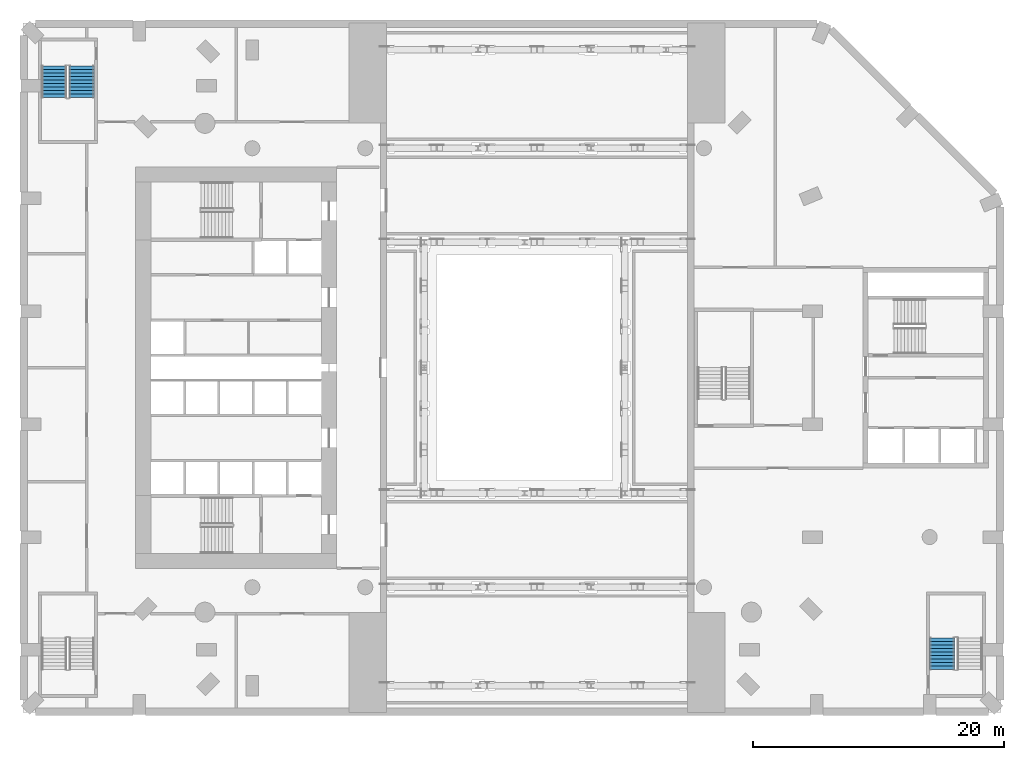
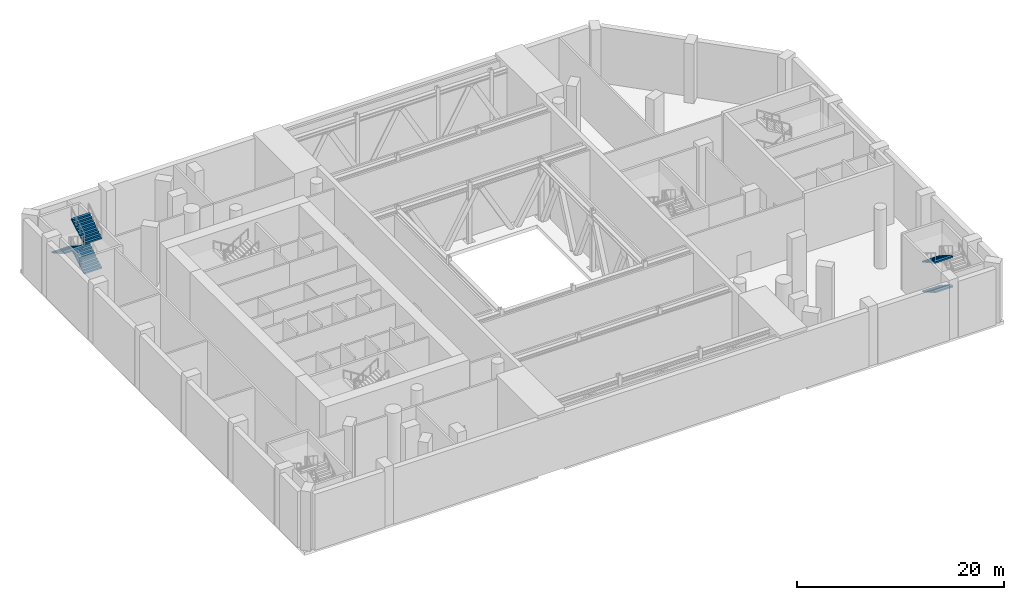
# One storey, part 15 of 21: 5 stair flights, 2 elements without a shape of their own.
"""IFC4 building model written with IfcOpenShell, lengths in metres."""

from ifc_helpers import new_model, si_unit, direction, frame, origin, place, context, subcontext, project, spatial, triangles, material, type_object, element, aggregate, save


model = new_model("IFC4")

# Units and contexts
model_context = context("Model", 3, precision=1e-05, world=origin(), true_north=direction((0.0, 1.0)))
body_context = subcontext(model_context, "Body", "Model", "MODEL_VIEW")
ifc_project = project(units=[si_unit("LENGTHUNIT", "METRE"), si_unit("AREAUNIT", "SQUARE_METRE"), si_unit("VOLUMEUNIT", "CUBIC_METRE"), si_unit("PLANEANGLEUNIT", "RADIAN"), si_unit("MASSUNIT", "GRAM", prefix="KILO")], contexts=[model_context])

# Site, building, storey
site_placement = place(None, origin())
site = spatial("IfcSite", under=ifc_project, at=site_placement, CompositionType="ELEMENT")
building_placement = place(site_placement, origin())
building = spatial("IfcBuilding", under=site, at=building_placement, Name="Cypress Arch Tower", CompositionType="ELEMENT")
storey_placement = place(building_placement, frame((0.0, 0.0, 29.0)))
storey = spatial("IfcBuildingStorey", under=building, at=storey_placement, Name="L03", CompositionType="ELEMENT", Elevation=29.0)

# Stair, stair flights
ifc_material_1 = material(Name="Concrete C40/50", Category="concrete")
stair_type = type_object("IfcStairType", Name="Exit stair ES1750-200", PredefinedType="HALF_TURN_STAIR", material=ifc_material_1)
stair_1_placement = place(storey_placement, origin())
stair_1 = element("IfcStair", 1, at=stair_1_placement, inside=storey, type_object=stair_type, Name="L03 Exit stair P2", PredefinedType="HALF_TURN_STAIR")
ifc_material_2 = material(Name="Concrete C40/50", Category="concrete")
stair_flight_type = type_object("IfcStairFlightType", Name="Exit stair flight ES1750-200", PredefinedType="STRAIGHT", material=ifc_material_2)
stair_flight_1_placement = place(storey_placement, frame((-34.300048828125, 21.530029296875, 1.75), z_axis=(0.0, 0.0, 1.0), x_axis=(0.0, 1.0, 0.0)))
stair_flight_1 = element("IfcStairFlight", 2, at=stair_flight_1_placement, type_object=stair_flight_type, Name="P2 flight 2", NumberOfRisers=10, NumberOfTreads=9, PredefinedType="STRAIGHT", RiserHeight=0.175, TreadLength=0.28, context=body_context, shape_type="Tessellation", body=[
    triangles([(0.0, -1.0, 0.0), (0.000244140625, -1.0, 0.034912109375), (0.00048828125, -1.0, 0.070068359375), (0.00048828125, -1.0, 0.10498046875), (0.000244140625, -1.0, 0.14013671875), (0.0, -1.0, 0.175048828125), (0.280029296875, -1.0, 0.175048828125), (0.280029296875, -1.0, 0.35009765625), (0.56005859375, -1.0, 0.35009765625), (0.56005859375, -1.0, 0.52490234375), (0.840087890625, -1.0, 0.52490234375), (0.840087890625, -1.0, 0.699951171875), (1.1201171875, -1.0, 0.699951171875), (1.1201171875, -1.0, 0.875), (1.39990234375, -1.0, 0.875), (1.39990234375, -1.0, 1.050048828125), (1.679931640625, -1.0, 1.050048828125), (1.679931640625, -1.0, 1.22509765625), (1.9599609375, -1.0, 1.22509765625), (1.9599609375, -1.0, 1.39990234375), (2.239990234375, -1.0, 1.39990234375), (2.239990234375, -1.0, 1.574951171875), (2.52001953125, -1.0, 1.574951171875), (2.519775390625, -1.0, 1.53955078125), (2.51953125, -1.0, 1.504150390625), (2.51953125, -1.0, 1.468994140625), (2.519775390625, -1.0, 1.43359375), (2.52001953125, -1.0, 1.398193359375), (2.52001953125, 1.0, 1.398193359375), (2.519775390625, 1.0, 1.43359375), (2.51953125, 1.0, 1.468994140625), (2.51953125, 1.0, 1.504150390625), (2.519775390625, 1.0, 1.53955078125), (2.52001953125, 1.0, 1.574951171875), (2.239990234375, 1.0, 1.574951171875), (2.239990234375, 1.0, 1.39990234375), (1.9599609375, 1.0, 1.39990234375), (1.9599609375, 1.0, 1.22509765625), (1.679931640625, 1.0, 1.22509765625), (1.679931640625, 1.0, 1.050048828125), (1.39990234375, 1.0, 1.050048828125), (1.39990234375, 1.0, 0.875), (1.1201171875, 1.0, 0.875), (1.1201171875, 1.0, 0.699951171875), (0.840087890625, 1.0, 0.699951171875), (0.840087890625, 1.0, 0.52490234375), (0.56005859375, 1.0, 0.52490234375), (0.56005859375, 1.0, 0.35009765625), (0.280029296875, 1.0, 0.35009765625), (0.280029296875, 1.0, 0.175048828125), (0.0, 1.0, 0.175048828125), (0.000244140625, 1.0, 0.14013671875), (0.00048828125, 1.0, 0.10498046875), (0.00048828125, 1.0, 0.070068359375), (0.000244140625, 1.0, 0.034912109375), (0.0, 1.0, 0.0), (2.519775390625, 0.0, 1.43359375), (2.52001953125, 0.0, 1.398193359375), (2.51953125, 0.0, 1.468994140625), (2.51953125, 0.0, 1.504150390625), (2.519775390625, 0.0, 1.53955078125), (2.52001953125, 0.0, 1.574951171875), (2.239990234375, 0.0, 1.574951171875), (2.239990234375, 0.0, 1.39990234375), (1.9599609375, 0.0, 1.39990234375), (1.9599609375, 0.0, 1.22509765625), (1.679931640625, 0.0, 1.22509765625), (1.679931640625, 0.0, 1.050048828125), (1.39990234375, 0.0, 1.050048828125), (1.39990234375, 0.0, 0.875), (1.1201171875, 0.0, 0.875), (1.1201171875, 0.0, 0.699951171875), (0.840087890625, 0.0, 0.699951171875), (0.840087890625, 0.0, 0.52490234375), (0.56005859375, 0.0, 0.52490234375), (0.56005859375, 0.0, 0.35009765625), (0.280029296875, 0.0, 0.35009765625), (0.280029296875, 0.0, 0.175048828125), (0.0, 0.0, 0.175048828125), (0.000244140625, 0.0, 0.14013671875), (0.00048828125, 0.0, 0.10498046875), (0.00048828125, 0.0, 0.070068359375), (0.000244140625, 0.0, 0.034912109375), (0.0, 0.0, 0.0)], [[28, 27, 22], [27, 26, 22], [26, 25, 22], [25, 24, 22], [24, 23, 22], [15, 14, 13], [19, 18, 17], [17, 16, 15], [13, 12, 11], [9, 8, 7], [6, 5, 7], [5, 4, 7], [4, 3, 7], [3, 2, 7], [2, 1, 7], [21, 20, 19], [11, 10, 9], [28, 22, 21], [28, 21, 19], [28, 19, 17], [28, 17, 15], [28, 15, 13], [28, 13, 11], [1, 28, 11], [11, 9, 7], [11, 7, 1], [29, 35, 30], [30, 35, 31], [31, 35, 32], [32, 35, 33], [33, 35, 34], [42, 44, 43], [38, 40, 39], [40, 42, 41], [44, 46, 45], [48, 50, 49], [51, 50, 52], [52, 50, 53], [53, 50, 54], [54, 50, 55], [55, 50, 56], [36, 38, 37], [46, 48, 47], [29, 36, 35], [29, 38, 36], [29, 40, 38], [29, 42, 40], [29, 44, 42], [29, 46, 44], [56, 46, 29], [46, 50, 48], [46, 56, 50], [58, 57, 27], [58, 27, 28], [29, 30, 57], [29, 57, 58], [57, 59, 26], [57, 26, 27], [30, 31, 59], [30, 59, 57], [59, 60, 25], [59, 25, 26], [31, 32, 60], [31, 60, 59], [60, 61, 24], [60, 24, 25], [32, 33, 61], [32, 61, 60], [61, 62, 23], [61, 23, 24], [33, 34, 62], [33, 62, 61], [62, 63, 22], [62, 22, 23], [34, 35, 63], [34, 63, 62], [63, 64, 21], [63, 21, 22], [35, 36, 64], [35, 64, 63], [64, 65, 20], [64, 20, 21], [36, 37, 65], [36, 65, 64], [65, 66, 19], [65, 19, 20], [37, 38, 66], [37, 66, 65], [66, 67, 18], [66, 18, 19], [38, 39, 67], [38, 67, 66], [67, 68, 17], [67, 17, 18], [39, 40, 68], [39, 68, 67], [68, 69, 16], [68, 16, 17], [40, 41, 69], [40, 69, 68], [69, 70, 15], [69, 15, 16], [41, 42, 70], [41, 70, 69], [70, 71, 14], [70, 14, 15], [42, 43, 71], [42, 71, 70], [71, 72, 13], [71, 13, 14], [43, 44, 72], [43, 72, 71], [72, 73, 12], [72, 12, 13], [44, 45, 73], [44, 73, 72], [73, 74, 11], [73, 11, 12], [45, 46, 74], [45, 74, 73], [74, 75, 10], [74, 10, 11], [46, 47, 75], [46, 75, 74], [75, 76, 9], [75, 9, 10], [47, 48, 76], [47, 76, 75], [76, 77, 8], [76, 8, 9], [48, 49, 77], [48, 77, 76], [77, 78, 7], [77, 7, 8], [49, 50, 78], [49, 78, 77], [78, 79, 6], [78, 6, 7], [50, 51, 79], [50, 79, 78], [79, 80, 5], [79, 5, 6], [51, 52, 80], [51, 80, 79], [80, 81, 4], [80, 4, 5], [52, 53, 81], [52, 81, 80], [81, 82, 3], [81, 3, 4], [53, 54, 82], [53, 82, 81], [82, 83, 2], [82, 2, 3], [54, 55, 83], [54, 83, 82], [83, 84, 1], [83, 1, 2], [55, 56, 84], [55, 84, 83], [84, 58, 28], [84, 28, 1], [56, 29, 58], [56, 58, 84]], closed=True),
])
stair_flight_2_placement = place(storey_placement, frame((-36.5, 24.050048828125, 3.5), z_axis=(0.0, 0.0, 1.0), x_axis=(0.0, -1.0, 0.0)))
stair_flight_2 = element("IfcStairFlight", 3, at=stair_flight_2_placement, type_object=stair_flight_type, Name="P2 flight 3", NumberOfRisers=10, NumberOfTreads=9, PredefinedType="STRAIGHT", RiserHeight=0.175, TreadLength=0.28, context=body_context, shape_type="Tessellation", body=[
    triangles([(0.0, -1.0, 0.0), (0.000244140625, -1.0, 0.034912109375), (0.00048828125, -1.0, 0.070068359375), (0.00048828125, -1.0, 0.10498046875), (0.000244140625, -1.0, 0.14013671875), (0.0, -1.0, 0.175048828125), (0.280029296875, -1.0, 0.175048828125), (0.280029296875, -1.0, 0.35009765625), (0.56005859375, -1.0, 0.35009765625), (0.56005859375, -1.0, 0.52490234375), (0.840087890625, -1.0, 0.52490234375), (0.840087890625, -1.0, 0.699951171875), (1.1201171875, -1.0, 0.699951171875), (1.1201171875, -1.0, 0.875), (1.39990234375, -1.0, 0.875), (1.39990234375, -1.0, 1.050048828125), (1.679931640625, -1.0, 1.050048828125), (1.679931640625, -1.0, 1.22509765625), (1.9599609375, -1.0, 1.22509765625), (1.9599609375, -1.0, 1.39990234375), (2.239990234375, -1.0, 1.39990234375), (2.239990234375, -1.0, 1.574951171875), (2.52001953125, -1.0, 1.574951171875), (2.519775390625, -1.0, 1.53955078125), (2.51953125, -1.0, 1.504150390625), (2.51953125, -1.0, 1.468994140625), (2.519775390625, -1.0, 1.43359375), (2.52001953125, -1.0, 1.398193359375), (2.52001953125, 1.0, 1.398193359375), (2.519775390625, 1.0, 1.43359375), (2.51953125, 1.0, 1.468994140625), (2.51953125, 1.0, 1.504150390625), (2.519775390625, 1.0, 1.53955078125), (2.52001953125, 1.0, 1.574951171875), (2.239990234375, 1.0, 1.574951171875), (2.239990234375, 1.0, 1.39990234375), (1.9599609375, 1.0, 1.39990234375), (1.9599609375, 1.0, 1.22509765625), (1.679931640625, 1.0, 1.22509765625), (1.679931640625, 1.0, 1.050048828125), (1.39990234375, 1.0, 1.050048828125), (1.39990234375, 1.0, 0.875), (1.1201171875, 1.0, 0.875), (1.1201171875, 1.0, 0.699951171875), (0.840087890625, 1.0, 0.699951171875), (0.840087890625, 1.0, 0.52490234375), (0.56005859375, 1.0, 0.52490234375), (0.56005859375, 1.0, 0.35009765625), (0.280029296875, 1.0, 0.35009765625), (0.280029296875, 1.0, 0.175048828125), (0.0, 1.0, 0.175048828125), (0.000244140625, 1.0, 0.14013671875), (0.00048828125, 1.0, 0.10498046875), (0.00048828125, 1.0, 0.070068359375), (0.000244140625, 1.0, 0.034912109375), (0.0, 1.0, 0.0), (2.519775390625, 0.0, 1.43359375), (2.52001953125, 0.0, 1.398193359375), (2.51953125, 0.0, 1.468994140625), (2.51953125, 0.0, 1.504150390625), (2.519775390625, 0.0, 1.53955078125), (2.52001953125, 0.0, 1.574951171875), (2.239990234375, 0.0, 1.574951171875), (2.239990234375, 0.0, 1.39990234375), (1.9599609375, 0.0, 1.39990234375), (1.9599609375, 0.0, 1.22509765625), (1.679931640625, 0.0, 1.22509765625), (1.679931640625, 0.0, 1.050048828125), (1.39990234375, 0.0, 1.050048828125), (1.39990234375, 0.0, 0.875), (1.1201171875, 0.0, 0.875), (1.1201171875, 0.0, 0.699951171875), (0.840087890625, 0.0, 0.699951171875), (0.840087890625, 0.0, 0.52490234375), (0.56005859375, 0.0, 0.52490234375), (0.56005859375, 0.0, 0.35009765625), (0.280029296875, 0.0, 0.35009765625), (0.280029296875, 0.0, 0.175048828125), (0.0, 0.0, 0.175048828125), (0.000244140625, 0.0, 0.14013671875), (0.00048828125, 0.0, 0.10498046875), (0.00048828125, 0.0, 0.070068359375), (0.000244140625, 0.0, 0.034912109375), (0.0, 0.0, 0.0)], [[28, 27, 22], [27, 26, 22], [26, 25, 22], [25, 24, 22], [24, 23, 22], [15, 14, 13], [19, 18, 17], [17, 16, 15], [13, 12, 11], [9, 8, 7], [6, 5, 7], [5, 4, 7], [4, 3, 7], [3, 2, 7], [2, 1, 7], [21, 20, 19], [11, 10, 9], [28, 22, 21], [28, 21, 19], [28, 19, 17], [28, 17, 15], [28, 15, 13], [28, 13, 11], [1, 28, 11], [11, 9, 7], [11, 7, 1], [29, 35, 30], [30, 35, 31], [31, 35, 32], [32, 35, 33], [33, 35, 34], [42, 44, 43], [38, 40, 39], [40, 42, 41], [44, 46, 45], [48, 50, 49], [51, 50, 52], [52, 50, 53], [53, 50, 54], [54, 50, 55], [55, 50, 56], [36, 38, 37], [46, 48, 47], [29, 36, 35], [29, 38, 36], [29, 40, 38], [29, 42, 40], [29, 44, 42], [29, 46, 44], [56, 46, 29], [46, 50, 48], [46, 56, 50], [58, 57, 27], [58, 27, 28], [29, 30, 57], [29, 57, 58], [57, 59, 26], [57, 26, 27], [30, 31, 59], [30, 59, 57], [59, 60, 25], [59, 25, 26], [31, 32, 60], [31, 60, 59], [60, 61, 24], [60, 24, 25], [32, 33, 61], [32, 61, 60], [61, 62, 23], [61, 23, 24], [33, 34, 62], [33, 62, 61], [62, 63, 22], [62, 22, 23], [34, 35, 63], [34, 63, 62], [63, 64, 21], [63, 21, 22], [35, 36, 64], [35, 64, 63], [64, 65, 20], [64, 20, 21], [36, 37, 65], [36, 65, 64], [65, 66, 19], [65, 19, 20], [37, 38, 66], [37, 66, 65], [66, 67, 18], [66, 18, 19], [38, 39, 67], [38, 67, 66], [67, 68, 17], [67, 17, 18], [39, 40, 68], [39, 68, 67], [68, 69, 16], [68, 16, 17], [40, 41, 69], [40, 69, 68], [69, 70, 15], [69, 15, 16], [41, 42, 70], [41, 70, 69], [70, 71, 14], [70, 14, 15], [42, 43, 71], [42, 71, 70], [71, 72, 13], [71, 13, 14], [43, 44, 72], [43, 72, 71], [72, 73, 12], [72, 12, 13], [44, 45, 73], [44, 73, 72], [73, 74, 11], [73, 11, 12], [45, 46, 74], [45, 74, 73], [74, 75, 10], [74, 10, 11], [46, 47, 75], [46, 75, 74], [75, 76, 9], [75, 9, 10], [47, 48, 76], [47, 76, 75], [76, 77, 8], [76, 8, 9], [48, 49, 77], [48, 77, 76], [77, 78, 7], [77, 7, 8], [49, 50, 78], [49, 78, 77], [78, 79, 6], [78, 6, 7], [50, 51, 79], [50, 79, 78], [79, 80, 5], [79, 5, 6], [51, 52, 80], [51, 80, 79], [80, 81, 4], [80, 4, 5], [52, 53, 81], [52, 81, 80], [81, 82, 3], [81, 3, 4], [53, 54, 82], [53, 82, 81], [82, 83, 2], [82, 2, 3], [54, 55, 83], [54, 83, 82], [83, 84, 1], [83, 1, 2], [55, 56, 84], [55, 84, 83], [84, 58, 28], [84, 28, 1], [56, 29, 58], [56, 58, 84]], closed=True),
])
stair_flight_3_placement = place(storey_placement, frame((-34.300048828125, 21.530029296875, 5.25), z_axis=(0.0, 0.0, 1.0), x_axis=(0.0, 1.0, 0.0)))
stair_flight_3 = element("IfcStairFlight", 4, at=stair_flight_3_placement, type_object=stair_flight_type, Name="P2 flight 4", NumberOfRisers=10, NumberOfTreads=9, PredefinedType="STRAIGHT", RiserHeight=0.175, TreadLength=0.28, context=body_context, shape_type="Tessellation", body=[
    triangles([(0.0, -1.0, 0.0), (0.000244140625, -1.0, 0.034912109375), (0.00048828125, -1.0, 0.070068359375), (0.00048828125, -1.0, 0.10498046875), (0.000244140625, -1.0, 0.14013671875), (0.0, -1.0, 0.175048828125), (0.280029296875, -1.0, 0.175048828125), (0.280029296875, -1.0, 0.35009765625), (0.56005859375, -1.0, 0.35009765625), (0.56005859375, -1.0, 0.52490234375), (0.840087890625, -1.0, 0.52490234375), (0.840087890625, -1.0, 0.699951171875), (1.1201171875, -1.0, 0.699951171875), (1.1201171875, -1.0, 0.875), (1.39990234375, -1.0, 0.875), (1.39990234375, -1.0, 1.050048828125), (1.679931640625, -1.0, 1.050048828125), (1.679931640625, -1.0, 1.22509765625), (1.9599609375, -1.0, 1.22509765625), (1.9599609375, -1.0, 1.39990234375), (2.239990234375, -1.0, 1.39990234375), (2.239990234375, -1.0, 1.574951171875), (2.52001953125, -1.0, 1.574951171875), (2.519775390625, -1.0, 1.53955078125), (2.51953125, -1.0, 1.504150390625), (2.51953125, -1.0, 1.468994140625), (2.519775390625, -1.0, 1.43359375), (2.52001953125, -1.0, 1.398193359375), (2.52001953125, 1.0, 1.398193359375), (2.519775390625, 1.0, 1.43359375), (2.51953125, 1.0, 1.468994140625), (2.51953125, 1.0, 1.504150390625), (2.519775390625, 1.0, 1.53955078125), (2.52001953125, 1.0, 1.574951171875), (2.239990234375, 1.0, 1.574951171875), (2.239990234375, 1.0, 1.39990234375), (1.9599609375, 1.0, 1.39990234375), (1.9599609375, 1.0, 1.22509765625), (1.679931640625, 1.0, 1.22509765625), (1.679931640625, 1.0, 1.050048828125), (1.39990234375, 1.0, 1.050048828125), (1.39990234375, 1.0, 0.875), (1.1201171875, 1.0, 0.875), (1.1201171875, 1.0, 0.699951171875), (0.840087890625, 1.0, 0.699951171875), (0.840087890625, 1.0, 0.52490234375), (0.56005859375, 1.0, 0.52490234375), (0.56005859375, 1.0, 0.35009765625), (0.280029296875, 1.0, 0.35009765625), (0.280029296875, 1.0, 0.175048828125), (0.0, 1.0, 0.175048828125), (0.000244140625, 1.0, 0.14013671875), (0.00048828125, 1.0, 0.10498046875), (0.00048828125, 1.0, 0.070068359375), (0.000244140625, 1.0, 0.034912109375), (0.0, 1.0, 0.0), (2.519775390625, 0.0, 1.43359375), (2.52001953125, 0.0, 1.398193359375), (2.51953125, 0.0, 1.468994140625), (2.51953125, 0.0, 1.504150390625), (2.519775390625, 0.0, 1.53955078125), (2.52001953125, 0.0, 1.574951171875), (2.239990234375, 0.0, 1.574951171875), (2.239990234375, 0.0, 1.39990234375), (1.9599609375, 0.0, 1.39990234375), (1.9599609375, 0.0, 1.22509765625), (1.679931640625, 0.0, 1.22509765625), (1.679931640625, 0.0, 1.050048828125), (1.39990234375, 0.0, 1.050048828125), (1.39990234375, 0.0, 0.875), (1.1201171875, 0.0, 0.875), (1.1201171875, 0.0, 0.699951171875), (0.840087890625, 0.0, 0.699951171875), (0.840087890625, 0.0, 0.52490234375), (0.56005859375, 0.0, 0.52490234375), (0.56005859375, 0.0, 0.35009765625), (0.280029296875, 0.0, 0.35009765625), (0.280029296875, 0.0, 0.175048828125), (0.0, 0.0, 0.175048828125), (0.000244140625, 0.0, 0.14013671875), (0.00048828125, 0.0, 0.10498046875), (0.00048828125, 0.0, 0.070068359375), (0.000244140625, 0.0, 0.034912109375), (0.0, 0.0, 0.0)], [[28, 27, 22], [27, 26, 22], [26, 25, 22], [25, 24, 22], [24, 23, 22], [15, 14, 13], [19, 18, 17], [17, 16, 15], [13, 12, 11], [9, 8, 7], [6, 5, 7], [5, 4, 7], [4, 3, 7], [3, 2, 7], [2, 1, 7], [21, 20, 19], [11, 10, 9], [28, 22, 21], [28, 21, 19], [28, 19, 17], [28, 17, 15], [28, 15, 13], [28, 13, 11], [1, 28, 11], [11, 9, 7], [11, 7, 1], [29, 35, 30], [30, 35, 31], [31, 35, 32], [32, 35, 33], [33, 35, 34], [42, 44, 43], [38, 40, 39], [40, 42, 41], [44, 46, 45], [48, 50, 49], [51, 50, 52], [52, 50, 53], [53, 50, 54], [54, 50, 55], [55, 50, 56], [36, 38, 37], [46, 48, 47], [29, 36, 35], [29, 38, 36], [29, 40, 38], [29, 42, 40], [29, 44, 42], [29, 46, 44], [56, 46, 29], [46, 50, 48], [46, 56, 50], [58, 57, 27], [58, 27, 28], [29, 30, 57], [29, 57, 58], [57, 59, 26], [57, 26, 27], [30, 31, 59], [30, 59, 57], [59, 60, 25], [59, 25, 26], [31, 32, 60], [31, 60, 59], [60, 61, 24], [60, 24, 25], [32, 33, 61], [32, 61, 60], [61, 62, 23], [61, 23, 24], [33, 34, 62], [33, 62, 61], [62, 63, 22], [62, 22, 23], [34, 35, 63], [34, 63, 62], [63, 64, 21], [63, 21, 22], [35, 36, 64], [35, 64, 63], [64, 65, 20], [64, 20, 21], [36, 37, 65], [36, 65, 64], [65, 66, 19], [65, 19, 20], [37, 38, 66], [37, 66, 65], [66, 67, 18], [66, 18, 19], [38, 39, 67], [38, 67, 66], [67, 68, 17], [67, 17, 18], [39, 40, 68], [39, 68, 67], [68, 69, 16], [68, 16, 17], [40, 41, 69], [40, 69, 68], [69, 70, 15], [69, 15, 16], [41, 42, 70], [41, 70, 69], [70, 71, 14], [70, 14, 15], [42, 43, 71], [42, 71, 70], [71, 72, 13], [71, 13, 14], [43, 44, 72], [43, 72, 71], [72, 73, 12], [72, 12, 13], [44, 45, 73], [44, 73, 72], [73, 74, 11], [73, 11, 12], [45, 46, 74], [45, 74, 73], [74, 75, 10], [74, 10, 11], [46, 47, 75], [46, 75, 74], [75, 76, 9], [75, 9, 10], [47, 48, 76], [47, 76, 75], [76, 77, 8], [76, 8, 9], [48, 49, 77], [48, 77, 76], [77, 78, 7], [77, 7, 8], [49, 50, 78], [49, 78, 77], [78, 79, 6], [78, 6, 7], [50, 51, 79], [50, 79, 78], [79, 80, 5], [79, 5, 6], [51, 52, 80], [51, 80, 79], [80, 81, 4], [80, 4, 5], [52, 53, 81], [52, 81, 80], [81, 82, 3], [81, 3, 4], [53, 54, 82], [53, 82, 81], [82, 83, 2], [82, 2, 3], [54, 55, 83], [54, 83, 82], [83, 84, 1], [83, 1, 2], [55, 56, 84], [55, 84, 83], [84, 58, 28], [84, 28, 1], [56, 29, 58], [56, 58, 84]], closed=True),
])
aggregate(stair_1, [stair_flight_1, stair_flight_2, stair_flight_3])

stair_2_placement = place(storey_placement, origin())
stair_2 = element("IfcStair", 5, at=stair_2_placement, inside=storey, type_object=stair_type, Name="L03 Exit stair P4", PredefinedType="HALF_TURN_STAIR")
stair_flight_4_placement = place(storey_placement, frame((34.300048828125, -21.530029296875, 1.75), z_axis=(0.0, 0.0, 1.0), x_axis=(0.0, -1.0, 0.0)))
stair_flight_4 = element("IfcStairFlight", 6, at=stair_flight_4_placement, type_object=stair_flight_type, Name="P4 flight 2", NumberOfRisers=10, NumberOfTreads=9, PredefinedType="STRAIGHT", RiserHeight=0.175, TreadLength=0.28, context=body_context, shape_type="Tessellation", body=[
    triangles([(0.0, -1.0, 0.0), (0.000244140625, -1.0, 0.034912109375), (0.00048828125, -1.0, 0.070068359375), (0.00048828125, -1.0, 0.10498046875), (0.000244140625, -1.0, 0.14013671875), (0.0, -1.0, 0.175048828125), (0.280029296875, -1.0, 0.175048828125), (0.280029296875, -1.0, 0.35009765625), (0.56005859375, -1.0, 0.35009765625), (0.56005859375, -1.0, 0.52490234375), (0.840087890625, -1.0, 0.52490234375), (0.840087890625, -1.0, 0.699951171875), (1.1201171875, -1.0, 0.699951171875), (1.1201171875, -1.0, 0.875), (1.39990234375, -1.0, 0.875), (1.39990234375, -1.0, 1.050048828125), (1.679931640625, -1.0, 1.050048828125), (1.679931640625, -1.0, 1.22509765625), (1.9599609375, -1.0, 1.22509765625), (1.9599609375, -1.0, 1.39990234375), (2.239990234375, -1.0, 1.39990234375), (2.239990234375, -1.0, 1.574951171875), (2.52001953125, -1.0, 1.574951171875), (2.519775390625, -1.0, 1.53955078125), (2.51953125, -1.0, 1.504150390625), (2.51953125, -1.0, 1.468994140625), (2.519775390625, -1.0, 1.43359375), (2.52001953125, -1.0, 1.398193359375), (2.52001953125, 1.0, 1.398193359375), (2.519775390625, 1.0, 1.43359375), (2.51953125, 1.0, 1.468994140625), (2.51953125, 1.0, 1.504150390625), (2.519775390625, 1.0, 1.53955078125), (2.52001953125, 1.0, 1.574951171875), (2.239990234375, 1.0, 1.574951171875), (2.239990234375, 1.0, 1.39990234375), (1.9599609375, 1.0, 1.39990234375), (1.9599609375, 1.0, 1.22509765625), (1.679931640625, 1.0, 1.22509765625), (1.679931640625, 1.0, 1.050048828125), (1.39990234375, 1.0, 1.050048828125), (1.39990234375, 1.0, 0.875), (1.1201171875, 1.0, 0.875), (1.1201171875, 1.0, 0.699951171875), (0.840087890625, 1.0, 0.699951171875), (0.840087890625, 1.0, 0.52490234375), (0.56005859375, 1.0, 0.52490234375), (0.56005859375, 1.0, 0.35009765625), (0.280029296875, 1.0, 0.35009765625), (0.280029296875, 1.0, 0.175048828125), (0.0, 1.0, 0.175048828125), (0.000244140625, 1.0, 0.14013671875), (0.00048828125, 1.0, 0.10498046875), (0.00048828125, 1.0, 0.070068359375), (0.000244140625, 1.0, 0.034912109375), (0.0, 1.0, 0.0), (2.519775390625, 0.0, 1.43359375), (2.52001953125, 0.0, 1.398193359375), (2.51953125, 0.0, 1.468994140625), (2.51953125, 0.0, 1.504150390625), (2.519775390625, 0.0, 1.53955078125), (2.52001953125, 0.0, 1.574951171875), (2.239990234375, 0.0, 1.574951171875), (2.239990234375, 0.0, 1.39990234375), (1.9599609375, 0.0, 1.39990234375), (1.9599609375, 0.0, 1.22509765625), (1.679931640625, 0.0, 1.22509765625), (1.679931640625, 0.0, 1.050048828125), (1.39990234375, 0.0, 1.050048828125), (1.39990234375, 0.0, 0.875), (1.1201171875, 0.0, 0.875), (1.1201171875, 0.0, 0.699951171875), (0.840087890625, 0.0, 0.699951171875), (0.840087890625, 0.0, 0.52490234375), (0.56005859375, 0.0, 0.52490234375), (0.56005859375, 0.0, 0.35009765625), (0.280029296875, 0.0, 0.35009765625), (0.280029296875, 0.0, 0.175048828125), (0.0, 0.0, 0.175048828125), (0.000244140625, 0.0, 0.14013671875), (0.00048828125, 0.0, 0.10498046875), (0.00048828125, 0.0, 0.070068359375), (0.000244140625, 0.0, 0.034912109375), (0.0, 0.0, 0.0)], [[28, 27, 22], [27, 26, 22], [26, 25, 22], [25, 24, 22], [24, 23, 22], [15, 14, 13], [19, 18, 17], [17, 16, 15], [13, 12, 11], [9, 8, 7], [6, 5, 7], [5, 4, 7], [4, 3, 7], [3, 2, 7], [2, 1, 7], [21, 20, 19], [11, 10, 9], [28, 22, 21], [28, 21, 19], [28, 19, 17], [28, 17, 15], [28, 15, 13], [28, 13, 11], [1, 28, 11], [11, 9, 7], [11, 7, 1], [29, 35, 30], [30, 35, 31], [31, 35, 32], [32, 35, 33], [33, 35, 34], [42, 44, 43], [38, 40, 39], [40, 42, 41], [44, 46, 45], [48, 50, 49], [51, 50, 52], [52, 50, 53], [53, 50, 54], [54, 50, 55], [55, 50, 56], [36, 38, 37], [46, 48, 47], [29, 36, 35], [29, 38, 36], [29, 40, 38], [29, 42, 40], [29, 44, 42], [29, 46, 44], [56, 46, 29], [46, 50, 48], [46, 56, 50], [58, 57, 27], [58, 27, 28], [29, 30, 57], [29, 57, 58], [57, 59, 26], [57, 26, 27], [30, 31, 59], [30, 59, 57], [59, 60, 25], [59, 25, 26], [31, 32, 60], [31, 60, 59], [60, 61, 24], [60, 24, 25], [32, 33, 61], [32, 61, 60], [61, 62, 23], [61, 23, 24], [33, 34, 62], [33, 62, 61], [62, 63, 22], [62, 22, 23], [34, 35, 63], [34, 63, 62], [63, 64, 21], [63, 21, 22], [35, 36, 64], [35, 64, 63], [64, 65, 20], [64, 20, 21], [36, 37, 65], [36, 65, 64], [65, 66, 19], [65, 19, 20], [37, 38, 66], [37, 66, 65], [66, 67, 18], [66, 18, 19], [38, 39, 67], [38, 67, 66], [67, 68, 17], [67, 17, 18], [39, 40, 68], [39, 68, 67], [68, 69, 16], [68, 16, 17], [40, 41, 69], [40, 69, 68], [69, 70, 15], [69, 15, 16], [41, 42, 70], [41, 70, 69], [70, 71, 14], [70, 14, 15], [42, 43, 71], [42, 71, 70], [71, 72, 13], [71, 13, 14], [43, 44, 72], [43, 72, 71], [72, 73, 12], [72, 12, 13], [44, 45, 73], [44, 73, 72], [73, 74, 11], [73, 11, 12], [45, 46, 74], [45, 74, 73], [74, 75, 10], [74, 10, 11], [46, 47, 75], [46, 75, 74], [75, 76, 9], [75, 9, 10], [47, 48, 76], [47, 76, 75], [76, 77, 8], [76, 8, 9], [48, 49, 77], [48, 77, 76], [77, 78, 7], [77, 7, 8], [49, 50, 78], [49, 78, 77], [78, 79, 6], [78, 6, 7], [50, 51, 79], [50, 79, 78], [79, 80, 5], [79, 5, 6], [51, 52, 80], [51, 80, 79], [80, 81, 4], [80, 4, 5], [52, 53, 81], [52, 81, 80], [81, 82, 3], [81, 3, 4], [53, 54, 82], [53, 82, 81], [82, 83, 2], [82, 2, 3], [54, 55, 83], [54, 83, 82], [83, 84, 1], [83, 1, 2], [55, 56, 84], [55, 84, 83], [84, 58, 28], [84, 28, 1], [56, 29, 58], [56, 58, 84]], closed=True),
])
stair_flight_5_placement = place(storey_placement, frame((34.300048828125, -21.530029296875, 5.25), z_axis=(0.0, 0.0, 1.0), x_axis=(0.0, -1.0, 0.0)))
stair_flight_5 = element("IfcStairFlight", 7, at=stair_flight_5_placement, type_object=stair_flight_type, Name="P4 flight 4", NumberOfRisers=10, NumberOfTreads=9, PredefinedType="STRAIGHT", RiserHeight=0.175, TreadLength=0.28, context=body_context, shape_type="Tessellation", body=[
    triangles([(0.0, -1.0, 0.0), (0.000244140625, -1.0, 0.034912109375), (0.00048828125, -1.0, 0.070068359375), (0.00048828125, -1.0, 0.10498046875), (0.000244140625, -1.0, 0.14013671875), (0.0, -1.0, 0.175048828125), (0.280029296875, -1.0, 0.175048828125), (0.280029296875, -1.0, 0.35009765625), (0.56005859375, -1.0, 0.35009765625), (0.56005859375, -1.0, 0.52490234375), (0.840087890625, -1.0, 0.52490234375), (0.840087890625, -1.0, 0.699951171875), (1.1201171875, -1.0, 0.699951171875), (1.1201171875, -1.0, 0.875), (1.39990234375, -1.0, 0.875), (1.39990234375, -1.0, 1.050048828125), (1.679931640625, -1.0, 1.050048828125), (1.679931640625, -1.0, 1.22509765625), (1.9599609375, -1.0, 1.22509765625), (1.9599609375, -1.0, 1.39990234375), (2.239990234375, -1.0, 1.39990234375), (2.239990234375, -1.0, 1.574951171875), (2.52001953125, -1.0, 1.574951171875), (2.519775390625, -1.0, 1.53955078125), (2.51953125, -1.0, 1.504150390625), (2.51953125, -1.0, 1.468994140625), (2.519775390625, -1.0, 1.43359375), (2.52001953125, -1.0, 1.398193359375), (2.52001953125, 1.0, 1.398193359375), (2.519775390625, 1.0, 1.43359375), (2.51953125, 1.0, 1.468994140625), (2.51953125, 1.0, 1.504150390625), (2.519775390625, 1.0, 1.53955078125), (2.52001953125, 1.0, 1.574951171875), (2.239990234375, 1.0, 1.574951171875), (2.239990234375, 1.0, 1.39990234375), (1.9599609375, 1.0, 1.39990234375), (1.9599609375, 1.0, 1.22509765625), (1.679931640625, 1.0, 1.22509765625), (1.679931640625, 1.0, 1.050048828125), (1.39990234375, 1.0, 1.050048828125), (1.39990234375, 1.0, 0.875), (1.1201171875, 1.0, 0.875), (1.1201171875, 1.0, 0.699951171875), (0.840087890625, 1.0, 0.699951171875), (0.840087890625, 1.0, 0.52490234375), (0.56005859375, 1.0, 0.52490234375), (0.56005859375, 1.0, 0.35009765625), (0.280029296875, 1.0, 0.35009765625), (0.280029296875, 1.0, 0.175048828125), (0.0, 1.0, 0.175048828125), (0.000244140625, 1.0, 0.14013671875), (0.00048828125, 1.0, 0.10498046875), (0.00048828125, 1.0, 0.070068359375), (0.000244140625, 1.0, 0.034912109375), (0.0, 1.0, 0.0), (2.519775390625, 0.0, 1.43359375), (2.52001953125, 0.0, 1.398193359375), (2.51953125, 0.0, 1.468994140625), (2.51953125, 0.0, 1.504150390625), (2.519775390625, 0.0, 1.53955078125), (2.52001953125, 0.0, 1.574951171875), (2.239990234375, 0.0, 1.574951171875), (2.239990234375, 0.0, 1.39990234375), (1.9599609375, 0.0, 1.39990234375), (1.9599609375, 0.0, 1.22509765625), (1.679931640625, 0.0, 1.22509765625), (1.679931640625, 0.0, 1.050048828125), (1.39990234375, 0.0, 1.050048828125), (1.39990234375, 0.0, 0.875), (1.1201171875, 0.0, 0.875), (1.1201171875, 0.0, 0.699951171875), (0.840087890625, 0.0, 0.699951171875), (0.840087890625, 0.0, 0.52490234375), (0.56005859375, 0.0, 0.52490234375), (0.56005859375, 0.0, 0.35009765625), (0.280029296875, 0.0, 0.35009765625), (0.280029296875, 0.0, 0.175048828125), (0.0, 0.0, 0.175048828125), (0.000244140625, 0.0, 0.14013671875), (0.00048828125, 0.0, 0.10498046875), (0.00048828125, 0.0, 0.070068359375), (0.000244140625, 0.0, 0.034912109375), (0.0, 0.0, 0.0)], [[28, 27, 22], [27, 26, 22], [26, 25, 22], [25, 24, 22], [24, 23, 22], [15, 14, 13], [19, 18, 17], [17, 16, 15], [13, 12, 11], [9, 8, 7], [6, 5, 7], [5, 4, 7], [4, 3, 7], [3, 2, 7], [2, 1, 7], [21, 20, 19], [11, 10, 9], [28, 22, 21], [28, 21, 19], [28, 19, 17], [28, 17, 15], [28, 15, 13], [28, 13, 11], [1, 28, 11], [11, 9, 7], [11, 7, 1], [29, 35, 30], [30, 35, 31], [31, 35, 32], [32, 35, 33], [33, 35, 34], [42, 44, 43], [38, 40, 39], [40, 42, 41], [44, 46, 45], [48, 50, 49], [51, 50, 52], [52, 50, 53], [53, 50, 54], [54, 50, 55], [55, 50, 56], [36, 38, 37], [46, 48, 47], [29, 36, 35], [29, 38, 36], [29, 40, 38], [29, 42, 40], [29, 44, 42], [29, 46, 44], [56, 46, 29], [46, 50, 48], [46, 56, 50], [58, 57, 27], [58, 27, 28], [29, 30, 57], [29, 57, 58], [57, 59, 26], [57, 26, 27], [30, 31, 59], [30, 59, 57], [59, 60, 25], [59, 25, 26], [31, 32, 60], [31, 60, 59], [60, 61, 24], [60, 24, 25], [32, 33, 61], [32, 61, 60], [61, 62, 23], [61, 23, 24], [33, 34, 62], [33, 62, 61], [62, 63, 22], [62, 22, 23], [34, 35, 63], [34, 63, 62], [63, 64, 21], [63, 21, 22], [35, 36, 64], [35, 64, 63], [64, 65, 20], [64, 20, 21], [36, 37, 65], [36, 65, 64], [65, 66, 19], [65, 19, 20], [37, 38, 66], [37, 66, 65], [66, 67, 18], [66, 18, 19], [38, 39, 67], [38, 67, 66], [67, 68, 17], [67, 17, 18], [39, 40, 68], [39, 68, 67], [68, 69, 16], [68, 16, 17], [40, 41, 69], [40, 69, 68], [69, 70, 15], [69, 15, 16], [41, 42, 70], [41, 70, 69], [70, 71, 14], [70, 14, 15], [42, 43, 71], [42, 71, 70], [71, 72, 13], [71, 13, 14], [43, 44, 72], [43, 72, 71], [72, 73, 12], [72, 12, 13], [44, 45, 73], [44, 73, 72], [73, 74, 11], [73, 11, 12], [45, 46, 74], [45, 74, 73], [74, 75, 10], [74, 10, 11], [46, 47, 75], [46, 75, 74], [75, 76, 9], [75, 9, 10], [47, 48, 76], [47, 76, 75], [76, 77, 8], [76, 8, 9], [48, 49, 77], [48, 77, 76], [77, 78, 7], [77, 7, 8], [49, 50, 78], [49, 78, 77], [78, 79, 6], [78, 6, 7], [50, 51, 79], [50, 79, 78], [79, 80, 5], [79, 5, 6], [51, 52, 80], [51, 80, 79], [80, 81, 4], [80, 4, 5], [52, 53, 81], [52, 81, 80], [81, 82, 3], [81, 3, 4], [53, 54, 82], [53, 82, 81], [82, 83, 2], [82, 2, 3], [54, 55, 83], [54, 83, 82], [83, 84, 1], [83, 1, 2], [55, 56, 84], [55, 84, 83], [84, 58, 28], [84, 28, 1], [56, 29, 58], [56, 58, 84]], closed=True),
])
aggregate(stair_2, [stair_flight_4, stair_flight_5])

save(model, "model.ifc")
